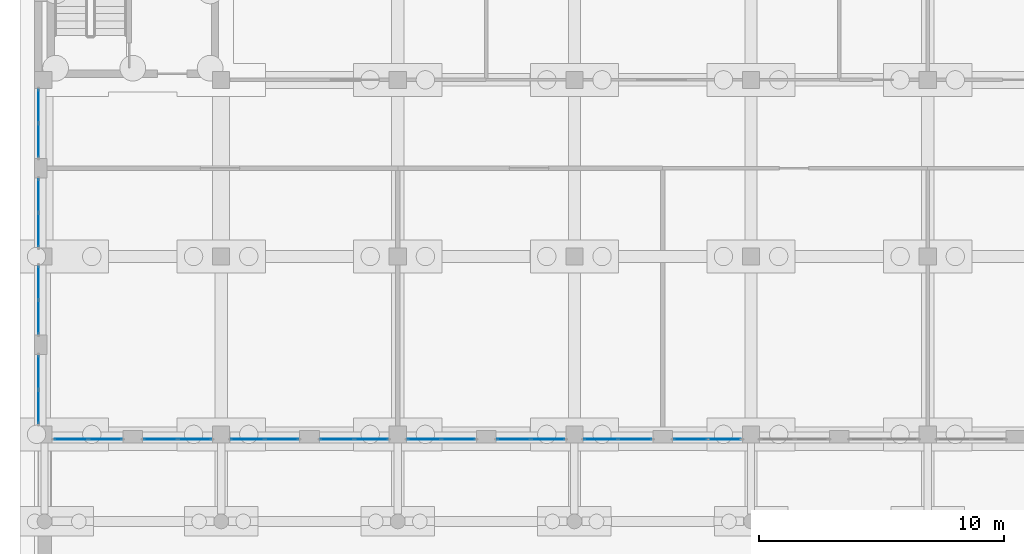
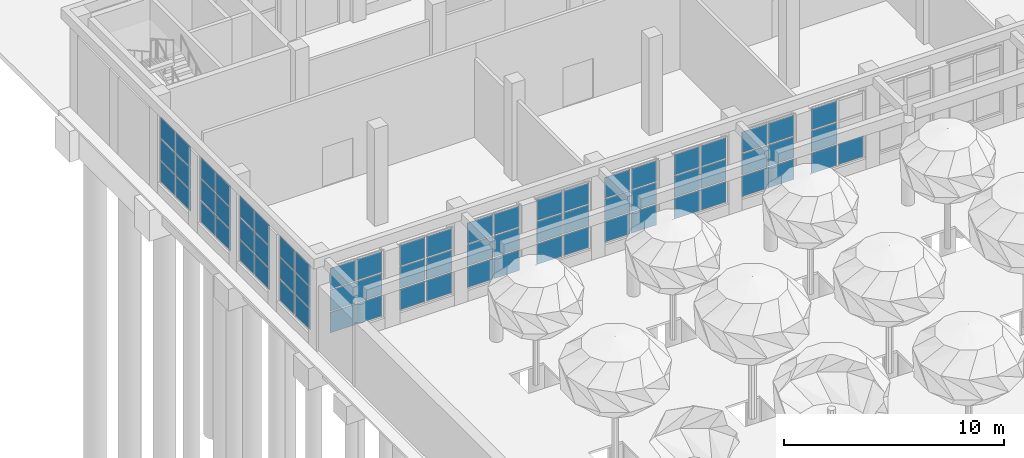
# One storey, part 36 of 80: 70 plates, 12 elements without a shape of their own.
"""IFC4 building model written with IfcOpenShell, lengths in metres."""

from ifc_helpers import new_model, si_unit, direction, frame, origin, origin_2d, place, context, subcontext, project, spatial, rectangle, extrude, material, layer, layer_set, type_object, element, aggregate, save


model = new_model("IFC4")

# Units and contexts
model_context = context("Model", 3, precision=1e-05, world=origin(), true_north=direction((0.0, 1.0)))
body_context = subcontext(model_context, "Body", "Model", "MODEL_VIEW")
ifc_project = project(units=[si_unit("LENGTHUNIT", "METRE"), si_unit("AREAUNIT", "SQUARE_METRE"), si_unit("VOLUMEUNIT", "CUBIC_METRE"), si_unit("PLANEANGLEUNIT", "RADIAN"), si_unit("MASSUNIT", "GRAM", prefix="KILO")], contexts=[model_context])

# Site, building, storey
site_placement = place(None, origin())
site = spatial("IfcSite", under=ifc_project, at=site_placement, CompositionType="ELEMENT")
building_placement = place(site_placement, origin())
building = spatial("IfcBuilding", under=site, at=building_placement, Name="Ussher Court Research Institute", CompositionType="ELEMENT")
storey_placement = place(building_placement, origin())
storey = spatial("IfcBuildingStorey", under=building, at=storey_placement, Name="L00", CompositionType="ELEMENT", Elevation=0.0)

# Curtain wall, plates
ifc_material_1 = material(Name="Bronze anodised aluminium with laminated safety glass", Category="aluminium")
ifc_layer_1 = layer(ifc_material_1, 0.1201171875)
ifc_layer_set_1 = layer_set([ifc_layer_1], Name="Bronze anodised aluminium with laminated safety glass")
curtain_wall_type = type_object("IfcCurtainWallType", Name="Curtain wall dry laboratory base storefront", PredefinedType="NOTDEFINED", material=ifc_layer_set_1)
curtain_wall_1_placement = place(storey_placement, origin())
curtain_wall_1 = element("IfcCurtainWall", 1, at=curtain_wall_1_placement, inside=storey, type_object=curtain_wall_type, Name="Curtain wall CW4 L00", PredefinedType="NOTDEFINED")
ifc_material_2 = material(Name="Laminated safety glass", Category="glass")
ifc_layer_2 = layer(ifc_material_2, 0.02099609375)
ifc_layer_set_2 = layer_set([ifc_layer_2], Name="Laminated safety glass")
plate_type = type_object("IfcPlateType", Name="Laminated safety glazing panel 21 mm", PredefinedType="CURTAIN_PANEL", material=ifc_layer_set_2)
plate_1_placement = place(storey_placement, frame((2.75, 69.87744140625, 0.66015625), z_axis=(0.0, 0.0, 1.0), x_axis=(0.0, 1.0, 0.0)))
plate_1 = element("IfcPlate", 2, at=plate_1_placement, type_object=plate_type, Name="CW4 panel 1.1", PredefinedType="CURTAIN_PANEL", context=body_context, shape_type="SweptSolid", body=[
    extrude(rectangle(XDim=1.3349609375, YDim=0.02099609375, at=origin_2d()), origin(), (0.0, 0.0, 1.0), 1.143310546875),
])
plate_2_placement = place(storey_placement, frame((2.75, 69.87744140625, 1.86328125), z_axis=(0.0, 0.0, 1.0), x_axis=(0.0, 1.0, 0.0)))
plate_2 = element("IfcPlate", 3, at=plate_2_placement, type_object=plate_type, Name="CW4 panel 1.2", PredefinedType="CURTAIN_PANEL", context=body_context, shape_type="SweptSolid", body=[
    extrude(rectangle(XDim=1.3349609375, YDim=0.02099609375, at=origin_2d()), origin(), (0.0, 0.0, 1.0), 1.17333984375),
])
plate_3_placement = place(storey_placement, frame((2.75, 69.87744140625, 3.0966796875), z_axis=(0.0, 0.0, 1.0), x_axis=(0.0, 1.0, 0.0)))
plate_3 = element("IfcPlate", 4, at=plate_3_placement, type_object=plate_type, Name="CW4 panel 1.3", PredefinedType="CURTAIN_PANEL", context=body_context, shape_type="SweptSolid", body=[
    extrude(rectangle(XDim=1.3349609375, YDim=0.02099609375, at=origin_2d()), origin(), (0.0, 0.0, 1.0), 1.143310546875),
])
plate_4_placement = place(storey_placement, frame((2.75, 71.2724609375, 0.66015625), z_axis=(0.0, 0.0, 1.0), x_axis=(0.0, 1.0, 0.0)))
plate_4 = element("IfcPlate", 5, at=plate_4_placement, type_object=plate_type, Name="CW4 panel 2.1", PredefinedType="CURTAIN_PANEL", context=body_context, shape_type="SweptSolid", body=[
    extrude(rectangle(XDim=1.3349609375, YDim=0.02099609375, at=origin_2d()), origin(), (0.0, 0.0, 1.0), 1.143310546875),
])
plate_5_placement = place(storey_placement, frame((2.75, 71.2724609375, 1.86328125), z_axis=(0.0, 0.0, 1.0), x_axis=(0.0, 1.0, 0.0)))
plate_5 = element("IfcPlate", 6, at=plate_5_placement, type_object=plate_type, Name="CW4 panel 2.2", PredefinedType="CURTAIN_PANEL", context=body_context, shape_type="SweptSolid", body=[
    extrude(rectangle(XDim=1.3349609375, YDim=0.02099609375, at=origin_2d()), origin(), (0.0, 0.0, 1.0), 1.17333984375),
])
plate_6_placement = place(storey_placement, frame((2.75, 71.2724609375, 3.0966796875), z_axis=(0.0, 0.0, 1.0), x_axis=(0.0, 1.0, 0.0)))
plate_6 = element("IfcPlate", 7, at=plate_6_placement, type_object=plate_type, Name="CW4 panel 2.3", PredefinedType="CURTAIN_PANEL", context=body_context, shape_type="SweptSolid", body=[
    extrude(rectangle(XDim=1.3349609375, YDim=0.02099609375, at=origin_2d()), origin(), (0.0, 0.0, 1.0), 1.143310546875),
])
aggregate(curtain_wall_1, [plate_1, plate_2, plate_3, plate_4, plate_5, plate_6])

curtain_wall_2_placement = place(storey_placement, origin())
curtain_wall_2 = element("IfcCurtainWall", 8, at=curtain_wall_2_placement, inside=storey, type_object=curtain_wall_type, Name="Curtain wall CW4 L00", PredefinedType="NOTDEFINED")
plate_7_placement = place(storey_placement, frame((2.75, 73.527587890625, 0.66015625), z_axis=(0.0, 0.0, 1.0), x_axis=(0.0, 1.0, 0.0)))
plate_7 = element("IfcPlate", 9, at=plate_7_placement, type_object=plate_type, Name="CW4 panel 1.1", PredefinedType="CURTAIN_PANEL", context=body_context, shape_type="SweptSolid", body=[
    extrude(rectangle(XDim=1.3349609375, YDim=0.02099609375, at=origin_2d()), origin(), (0.0, 0.0, 1.0), 1.143310546875),
])
plate_8_placement = place(storey_placement, frame((2.75, 73.527587890625, 1.86328125), z_axis=(0.0, 0.0, 1.0), x_axis=(0.0, 1.0, 0.0)))
plate_8 = element("IfcPlate", 10, at=plate_8_placement, type_object=plate_type, Name="CW4 panel 1.2", PredefinedType="CURTAIN_PANEL", context=body_context, shape_type="SweptSolid", body=[
    extrude(rectangle(XDim=1.3349609375, YDim=0.02099609375, at=origin_2d()), origin(), (0.0, 0.0, 1.0), 1.17333984375),
])
plate_9_placement = place(storey_placement, frame((2.75, 73.527587890625, 3.0966796875), z_axis=(0.0, 0.0, 1.0), x_axis=(0.0, 1.0, 0.0)))
plate_9 = element("IfcPlate", 11, at=plate_9_placement, type_object=plate_type, Name="CW4 panel 1.3", PredefinedType="CURTAIN_PANEL", context=body_context, shape_type="SweptSolid", body=[
    extrude(rectangle(XDim=1.3349609375, YDim=0.02099609375, at=origin_2d()), origin(), (0.0, 0.0, 1.0), 1.143310546875),
])
plate_10_placement = place(storey_placement, frame((2.75, 74.922607421875, 0.66015625), z_axis=(0.0, 0.0, 1.0), x_axis=(0.0, 1.0, 0.0)))
plate_10 = element("IfcPlate", 12, at=plate_10_placement, type_object=plate_type, Name="CW4 panel 2.1", PredefinedType="CURTAIN_PANEL", context=body_context, shape_type="SweptSolid", body=[
    extrude(rectangle(XDim=1.3349609375, YDim=0.02099609375, at=origin_2d()), origin(), (0.0, 0.0, 1.0), 1.143310546875),
])
plate_11_placement = place(storey_placement, frame((2.75, 74.922607421875, 1.86328125), z_axis=(0.0, 0.0, 1.0), x_axis=(0.0, 1.0, 0.0)))
plate_11 = element("IfcPlate", 13, at=plate_11_placement, type_object=plate_type, Name="CW4 panel 2.2", PredefinedType="CURTAIN_PANEL", context=body_context, shape_type="SweptSolid", body=[
    extrude(rectangle(XDim=1.3349609375, YDim=0.02099609375, at=origin_2d()), origin(), (0.0, 0.0, 1.0), 1.17333984375),
])
plate_12_placement = place(storey_placement, frame((2.75, 74.922607421875, 3.0966796875), z_axis=(0.0, 0.0, 1.0), x_axis=(0.0, 1.0, 0.0)))
plate_12 = element("IfcPlate", 14, at=plate_12_placement, type_object=plate_type, Name="CW4 panel 2.3", PredefinedType="CURTAIN_PANEL", context=body_context, shape_type="SweptSolid", body=[
    extrude(rectangle(XDim=1.3349609375, YDim=0.02099609375, at=origin_2d()), origin(), (0.0, 0.0, 1.0), 1.143310546875),
])
aggregate(curtain_wall_2, [plate_7, plate_8, plate_9, plate_10, plate_11, plate_12])

curtain_wall_3_placement = place(storey_placement, origin())
curtain_wall_3 = element("IfcCurtainWall", 15, at=curtain_wall_3_placement, inside=storey, type_object=curtain_wall_type, Name="Curtain wall CW4 L00", PredefinedType="NOTDEFINED")
plate_13_placement = place(storey_placement, frame((2.75, 77.077392578125, 0.66015625), z_axis=(0.0, 0.0, 1.0), x_axis=(0.0, 1.0, 0.0)))
plate_13 = element("IfcPlate", 16, at=plate_13_placement, type_object=plate_type, Name="CW4 panel 1.1", PredefinedType="CURTAIN_PANEL", context=body_context, shape_type="SweptSolid", body=[
    extrude(rectangle(XDim=1.3349609375, YDim=0.02099609375, at=origin_2d()), origin(), (0.0, 0.0, 1.0), 1.143310546875),
])
plate_14_placement = place(storey_placement, frame((2.75, 77.077392578125, 1.86328125), z_axis=(0.0, 0.0, 1.0), x_axis=(0.0, 1.0, 0.0)))
plate_14 = element("IfcPlate", 17, at=plate_14_placement, type_object=plate_type, Name="CW4 panel 1.2", PredefinedType="CURTAIN_PANEL", context=body_context, shape_type="SweptSolid", body=[
    extrude(rectangle(XDim=1.3349609375, YDim=0.02099609375, at=origin_2d()), origin(), (0.0, 0.0, 1.0), 1.17333984375),
])
plate_15_placement = place(storey_placement, frame((2.75, 77.077392578125, 3.0966796875), z_axis=(0.0, 0.0, 1.0), x_axis=(0.0, 1.0, 0.0)))
plate_15 = element("IfcPlate", 18, at=plate_15_placement, type_object=plate_type, Name="CW4 panel 1.3", PredefinedType="CURTAIN_PANEL", context=body_context, shape_type="SweptSolid", body=[
    extrude(rectangle(XDim=1.3349609375, YDim=0.02099609375, at=origin_2d()), origin(), (0.0, 0.0, 1.0), 1.143310546875),
])
plate_16_placement = place(storey_placement, frame((2.75, 78.472412109375, 0.66015625), z_axis=(0.0, 0.0, 1.0), x_axis=(0.0, 1.0, 0.0)))
plate_16 = element("IfcPlate", 19, at=plate_16_placement, type_object=plate_type, Name="CW4 panel 2.1", PredefinedType="CURTAIN_PANEL", context=body_context, shape_type="SweptSolid", body=[
    extrude(rectangle(XDim=1.3349609375, YDim=0.02099609375, at=origin_2d()), origin(), (0.0, 0.0, 1.0), 1.143310546875),
])
plate_17_placement = place(storey_placement, frame((2.75, 78.472412109375, 1.86328125), z_axis=(0.0, 0.0, 1.0), x_axis=(0.0, 1.0, 0.0)))
plate_17 = element("IfcPlate", 20, at=plate_17_placement, type_object=plate_type, Name="CW4 panel 2.2", PredefinedType="CURTAIN_PANEL", context=body_context, shape_type="SweptSolid", body=[
    extrude(rectangle(XDim=1.3349609375, YDim=0.02099609375, at=origin_2d()), origin(), (0.0, 0.0, 1.0), 1.17333984375),
])
plate_18_placement = place(storey_placement, frame((2.75, 78.472412109375, 3.0966796875), z_axis=(0.0, 0.0, 1.0), x_axis=(0.0, 1.0, 0.0)))
plate_18 = element("IfcPlate", 21, at=plate_18_placement, type_object=plate_type, Name="CW4 panel 2.3", PredefinedType="CURTAIN_PANEL", context=body_context, shape_type="SweptSolid", body=[
    extrude(rectangle(XDim=1.3349609375, YDim=0.02099609375, at=origin_2d()), origin(), (0.0, 0.0, 1.0), 1.143310546875),
])
aggregate(curtain_wall_3, [plate_13, plate_14, plate_15, plate_16, plate_17, plate_18])

curtain_wall_4_placement = place(storey_placement, origin())
curtain_wall_4 = element("IfcCurtainWall", 22, at=curtain_wall_4_placement, inside=storey, type_object=curtain_wall_type, Name="Curtain wall CW4 L00", PredefinedType="NOTDEFINED")
plate_19_placement = place(storey_placement, frame((2.75, 80.7275390625, 0.66015625), z_axis=(0.0, 0.0, 1.0), x_axis=(0.0, 1.0, 0.0)))
plate_19 = element("IfcPlate", 23, at=plate_19_placement, type_object=plate_type, Name="CW4 panel 1.1", PredefinedType="CURTAIN_PANEL", context=body_context, shape_type="SweptSolid", body=[
    extrude(rectangle(XDim=1.3349609375, YDim=0.02099609375, at=origin_2d()), origin(), (0.0, 0.0, 1.0), 1.143310546875),
])
plate_20_placement = place(storey_placement, frame((2.75, 80.7275390625, 1.86328125), z_axis=(0.0, 0.0, 1.0), x_axis=(0.0, 1.0, 0.0)))
plate_20 = element("IfcPlate", 24, at=plate_20_placement, type_object=plate_type, Name="CW4 panel 1.2", PredefinedType="CURTAIN_PANEL", context=body_context, shape_type="SweptSolid", body=[
    extrude(rectangle(XDim=1.3349609375, YDim=0.02099609375, at=origin_2d()), origin(), (0.0, 0.0, 1.0), 1.17333984375),
])
plate_21_placement = place(storey_placement, frame((2.75, 80.7275390625, 3.0966796875), z_axis=(0.0, 0.0, 1.0), x_axis=(0.0, 1.0, 0.0)))
plate_21 = element("IfcPlate", 25, at=plate_21_placement, type_object=plate_type, Name="CW4 panel 1.3", PredefinedType="CURTAIN_PANEL", context=body_context, shape_type="SweptSolid", body=[
    extrude(rectangle(XDim=1.3349609375, YDim=0.02099609375, at=origin_2d()), origin(), (0.0, 0.0, 1.0), 1.143310546875),
])
plate_22_placement = place(storey_placement, frame((2.75, 82.12255859375, 0.66015625), z_axis=(0.0, 0.0, 1.0), x_axis=(0.0, 1.0, 0.0)))
plate_22 = element("IfcPlate", 26, at=plate_22_placement, type_object=plate_type, Name="CW4 panel 2.1", PredefinedType="CURTAIN_PANEL", context=body_context, shape_type="SweptSolid", body=[
    extrude(rectangle(XDim=1.3349609375, YDim=0.02099609375, at=origin_2d()), origin(), (0.0, 0.0, 1.0), 1.143310546875),
])
plate_23_placement = place(storey_placement, frame((2.75, 82.12255859375, 1.86328125), z_axis=(0.0, 0.0, 1.0), x_axis=(0.0, 1.0, 0.0)))
plate_23 = element("IfcPlate", 27, at=plate_23_placement, type_object=plate_type, Name="CW4 panel 2.2", PredefinedType="CURTAIN_PANEL", context=body_context, shape_type="SweptSolid", body=[
    extrude(rectangle(XDim=1.3349609375, YDim=0.02099609375, at=origin_2d()), origin(), (0.0, 0.0, 1.0), 1.17333984375),
])
plate_24_placement = place(storey_placement, frame((2.75, 82.12255859375, 3.0966796875), z_axis=(0.0, 0.0, 1.0), x_axis=(0.0, 1.0, 0.0)))
plate_24 = element("IfcPlate", 28, at=plate_24_placement, type_object=plate_type, Name="CW4 panel 2.3", PredefinedType="CURTAIN_PANEL", context=body_context, shape_type="SweptSolid", body=[
    extrude(rectangle(XDim=1.3349609375, YDim=0.02099609375, at=origin_2d()), origin(), (0.0, 0.0, 1.0), 1.143310546875),
])
aggregate(curtain_wall_4, [plate_19, plate_20, plate_21, plate_22, plate_23, plate_24])

curtain_wall_5_placement = place(storey_placement, origin())
curtain_wall_5 = element("IfcCurtainWall", 29, at=curtain_wall_5_placement, inside=storey, type_object=curtain_wall_type, Name="Curtain wall CW4 L00", PredefinedType="NOTDEFINED")
plate_25_placement = place(storey_placement, frame((30.722412109375, 68.550048828125, 0.66015625), z_axis=(0.0, 0.0, 1.0), x_axis=(-1.0, 0.0, 0.0)))
plate_25 = element("IfcPlate", 30, at=plate_25_placement, type_object=plate_type, Name="CW4 panel 1.1", PredefinedType="CURTAIN_PANEL", context=body_context, shape_type="SweptSolid", body=[
    extrude(rectangle(XDim=1.3349609375, YDim=0.02099609375, at=origin_2d()), origin(), (0.0, 0.0, 1.0), 1.143310546875),
])
plate_26_placement = place(storey_placement, frame((29.327392578125, 68.550048828125, 0.66015625), z_axis=(0.0, 0.0, 1.0), x_axis=(-1.0, 0.0, 0.0)))
plate_26 = element("IfcPlate", 31, at=plate_26_placement, type_object=plate_type, Name="CW4 panel 2.1", PredefinedType="CURTAIN_PANEL", context=body_context, shape_type="SweptSolid", body=[
    extrude(rectangle(XDim=1.3349609375, YDim=0.02099609375, at=origin_2d()), origin(), (0.0, 0.0, 1.0), 1.143310546875),
])
plate_27_placement = place(storey_placement, frame((29.327392578125, 68.550048828125, 1.86328125), z_axis=(0.0, 0.0, 1.0), x_axis=(-1.0, 0.0, 0.0)))
plate_27 = element("IfcPlate", 32, at=plate_27_placement, type_object=plate_type, Name="CW4 panel 2.2", PredefinedType="CURTAIN_PANEL", context=body_context, shape_type="SweptSolid", body=[
    extrude(rectangle(XDim=1.3349609375, YDim=0.02099609375, at=origin_2d()), origin(), (0.0, 0.0, 1.0), 1.17333984375),
])
plate_28_placement = place(storey_placement, frame((29.327392578125, 68.550048828125, 3.0966796875), z_axis=(0.0, 0.0, 1.0), x_axis=(-1.0, 0.0, 0.0)))
plate_28 = element("IfcPlate", 33, at=plate_28_placement, type_object=plate_type, Name="CW4 panel 2.3", PredefinedType="CURTAIN_PANEL", context=body_context, shape_type="SweptSolid", body=[
    extrude(rectangle(XDim=1.3349609375, YDim=0.02099609375, at=origin_2d()), origin(), (0.0, 0.0, 1.0), 1.143310546875),
])
aggregate(curtain_wall_5, [plate_25, plate_26, plate_27, plate_28])

curtain_wall_6_placement = place(storey_placement, origin())
curtain_wall_6 = element("IfcCurtainWall", 34, at=curtain_wall_6_placement, inside=storey, type_object=curtain_wall_type, Name="Curtain wall CW4 L00", PredefinedType="NOTDEFINED")
plate_29_placement = place(storey_placement, frame((27.072509765625, 68.550048828125, 0.66015625), z_axis=(0.0, 0.0, 1.0), x_axis=(-1.0, 0.0, 0.0)))
plate_29 = element("IfcPlate", 35, at=plate_29_placement, type_object=plate_type, Name="CW4 panel 1.1", PredefinedType="CURTAIN_PANEL", context=body_context, shape_type="SweptSolid", body=[
    extrude(rectangle(XDim=1.3349609375, YDim=0.02099609375, at=origin_2d()), origin(), (0.0, 0.0, 1.0), 1.143310546875),
])
plate_30_placement = place(storey_placement, frame((27.072509765625, 68.550048828125, 1.86328125), z_axis=(0.0, 0.0, 1.0), x_axis=(-1.0, 0.0, 0.0)))
plate_30 = element("IfcPlate", 36, at=plate_30_placement, type_object=plate_type, Name="CW4 panel 1.2", PredefinedType="CURTAIN_PANEL", context=body_context, shape_type="SweptSolid", body=[
    extrude(rectangle(XDim=1.3349609375, YDim=0.02099609375, at=origin_2d()), origin(), (0.0, 0.0, 1.0), 1.17333984375),
])
plate_31_placement = place(storey_placement, frame((27.072509765625, 68.550048828125, 3.0966796875), z_axis=(0.0, 0.0, 1.0), x_axis=(-1.0, 0.0, 0.0)))
plate_31 = element("IfcPlate", 37, at=plate_31_placement, type_object=plate_type, Name="CW4 panel 1.3", PredefinedType="CURTAIN_PANEL", context=body_context, shape_type="SweptSolid", body=[
    extrude(rectangle(XDim=1.3349609375, YDim=0.02099609375, at=origin_2d()), origin(), (0.0, 0.0, 1.0), 1.143310546875),
])
plate_32_placement = place(storey_placement, frame((25.677490234375, 68.550048828125, 0.66015625), z_axis=(0.0, 0.0, 1.0), x_axis=(-1.0, 0.0, 0.0)))
plate_32 = element("IfcPlate", 38, at=plate_32_placement, type_object=plate_type, Name="CW4 panel 2.1", PredefinedType="CURTAIN_PANEL", context=body_context, shape_type="SweptSolid", body=[
    extrude(rectangle(XDim=1.3349609375, YDim=0.02099609375, at=origin_2d()), origin(), (0.0, 0.0, 1.0), 1.143310546875),
])
plate_33_placement = place(storey_placement, frame((25.677490234375, 68.550048828125, 1.86328125), z_axis=(0.0, 0.0, 1.0), x_axis=(-1.0, 0.0, 0.0)))
plate_33 = element("IfcPlate", 39, at=plate_33_placement, type_object=plate_type, Name="CW4 panel 2.2", PredefinedType="CURTAIN_PANEL", context=body_context, shape_type="SweptSolid", body=[
    extrude(rectangle(XDim=1.3349609375, YDim=0.02099609375, at=origin_2d()), origin(), (0.0, 0.0, 1.0), 1.17333984375),
])
plate_34_placement = place(storey_placement, frame((25.677490234375, 68.550048828125, 3.0966796875), z_axis=(0.0, 0.0, 1.0), x_axis=(-1.0, 0.0, 0.0)))
plate_34 = element("IfcPlate", 40, at=plate_34_placement, type_object=plate_type, Name="CW4 panel 2.3", PredefinedType="CURTAIN_PANEL", context=body_context, shape_type="SweptSolid", body=[
    extrude(rectangle(XDim=1.3349609375, YDim=0.02099609375, at=origin_2d()), origin(), (0.0, 0.0, 1.0), 1.143310546875),
])
aggregate(curtain_wall_6, [plate_29, plate_30, plate_31, plate_32, plate_33, plate_34])

curtain_wall_7_placement = place(storey_placement, origin())
curtain_wall_7 = element("IfcCurtainWall", 41, at=curtain_wall_7_placement, inside=storey, type_object=curtain_wall_type, Name="Curtain wall CW4 L00", PredefinedType="NOTDEFINED")
plate_35_placement = place(storey_placement, frame((23.5224609375, 68.550048828125, 0.66015625), z_axis=(0.0, 0.0, 1.0), x_axis=(-1.0, 0.0, 0.0)))
plate_35 = element("IfcPlate", 42, at=plate_35_placement, type_object=plate_type, Name="CW4 panel 1.1", PredefinedType="CURTAIN_PANEL", context=body_context, shape_type="SweptSolid", body=[
    extrude(rectangle(XDim=1.3349609375, YDim=0.02099609375, at=origin_2d()), origin(), (0.0, 0.0, 1.0), 1.143310546875),
])
plate_36_placement = place(storey_placement, frame((23.5224609375, 68.550048828125, 1.86328125), z_axis=(0.0, 0.0, 1.0), x_axis=(-1.0, 0.0, 0.0)))
plate_36 = element("IfcPlate", 43, at=plate_36_placement, type_object=plate_type, Name="CW4 panel 1.2", PredefinedType="CURTAIN_PANEL", context=body_context, shape_type="SweptSolid", body=[
    extrude(rectangle(XDim=1.3349609375, YDim=0.02099609375, at=origin_2d()), origin(), (0.0, 0.0, 1.0), 1.17333984375),
])
plate_37_placement = place(storey_placement, frame((23.5224609375, 68.550048828125, 3.0966796875), z_axis=(0.0, 0.0, 1.0), x_axis=(-1.0, 0.0, 0.0)))
plate_37 = element("IfcPlate", 44, at=plate_37_placement, type_object=plate_type, Name="CW4 panel 1.3", PredefinedType="CURTAIN_PANEL", context=body_context, shape_type="SweptSolid", body=[
    extrude(rectangle(XDim=1.3349609375, YDim=0.02099609375, at=origin_2d()), origin(), (0.0, 0.0, 1.0), 1.143310546875),
])
plate_38_placement = place(storey_placement, frame((22.12744140625, 68.550048828125, 0.66015625), z_axis=(0.0, 0.0, 1.0), x_axis=(-1.0, 0.0, 0.0)))
plate_38 = element("IfcPlate", 45, at=plate_38_placement, type_object=plate_type, Name="CW4 panel 2.1", PredefinedType="CURTAIN_PANEL", context=body_context, shape_type="SweptSolid", body=[
    extrude(rectangle(XDim=1.3349609375, YDim=0.02099609375, at=origin_2d()), origin(), (0.0, 0.0, 1.0), 1.143310546875),
])
plate_39_placement = place(storey_placement, frame((22.12744140625, 68.550048828125, 1.86328125), z_axis=(0.0, 0.0, 1.0), x_axis=(-1.0, 0.0, 0.0)))
plate_39 = element("IfcPlate", 46, at=plate_39_placement, type_object=plate_type, Name="CW4 panel 2.2", PredefinedType="CURTAIN_PANEL", context=body_context, shape_type="SweptSolid", body=[
    extrude(rectangle(XDim=1.3349609375, YDim=0.02099609375, at=origin_2d()), origin(), (0.0, 0.0, 1.0), 1.17333984375),
])
plate_40_placement = place(storey_placement, frame((22.12744140625, 68.550048828125, 3.0966796875), z_axis=(0.0, 0.0, 1.0), x_axis=(-1.0, 0.0, 0.0)))
plate_40 = element("IfcPlate", 47, at=plate_40_placement, type_object=plate_type, Name="CW4 panel 2.3", PredefinedType="CURTAIN_PANEL", context=body_context, shape_type="SweptSolid", body=[
    extrude(rectangle(XDim=1.3349609375, YDim=0.02099609375, at=origin_2d()), origin(), (0.0, 0.0, 1.0), 1.143310546875),
])
aggregate(curtain_wall_7, [plate_35, plate_36, plate_37, plate_38, plate_39, plate_40])

curtain_wall_8_placement = place(storey_placement, origin())
curtain_wall_8 = element("IfcCurtainWall", 48, at=curtain_wall_8_placement, inside=storey, type_object=curtain_wall_type, Name="Curtain wall CW4 L00", PredefinedType="NOTDEFINED")
plate_41_placement = place(storey_placement, frame((19.87255859375, 68.550048828125, 0.66015625), z_axis=(0.0, 0.0, 1.0), x_axis=(-1.0, 0.0, 0.0)))
plate_41 = element("IfcPlate", 49, at=plate_41_placement, type_object=plate_type, Name="CW4 panel 1.1", PredefinedType="CURTAIN_PANEL", context=body_context, shape_type="SweptSolid", body=[
    extrude(rectangle(XDim=1.3349609375, YDim=0.02099609375, at=origin_2d()), origin(), (0.0, 0.0, 1.0), 1.143310546875),
])
plate_42_placement = place(storey_placement, frame((19.87255859375, 68.550048828125, 1.86328125), z_axis=(0.0, 0.0, 1.0), x_axis=(-1.0, 0.0, 0.0)))
plate_42 = element("IfcPlate", 50, at=plate_42_placement, type_object=plate_type, Name="CW4 panel 1.2", PredefinedType="CURTAIN_PANEL", context=body_context, shape_type="SweptSolid", body=[
    extrude(rectangle(XDim=1.3349609375, YDim=0.02099609375, at=origin_2d()), origin(), (0.0, 0.0, 1.0), 1.17333984375),
])
plate_43_placement = place(storey_placement, frame((19.87255859375, 68.550048828125, 3.0966796875), z_axis=(0.0, 0.0, 1.0), x_axis=(-1.0, 0.0, 0.0)))
plate_43 = element("IfcPlate", 51, at=plate_43_placement, type_object=plate_type, Name="CW4 panel 1.3", PredefinedType="CURTAIN_PANEL", context=body_context, shape_type="SweptSolid", body=[
    extrude(rectangle(XDim=1.3349609375, YDim=0.02099609375, at=origin_2d()), origin(), (0.0, 0.0, 1.0), 1.143310546875),
])
plate_44_placement = place(storey_placement, frame((18.4775390625, 68.550048828125, 0.66015625), z_axis=(0.0, 0.0, 1.0), x_axis=(-1.0, 0.0, 0.0)))
plate_44 = element("IfcPlate", 52, at=plate_44_placement, type_object=plate_type, Name="CW4 panel 2.1", PredefinedType="CURTAIN_PANEL", context=body_context, shape_type="SweptSolid", body=[
    extrude(rectangle(XDim=1.3349609375, YDim=0.02099609375, at=origin_2d()), origin(), (0.0, 0.0, 1.0), 1.143310546875),
])
plate_45_placement = place(storey_placement, frame((18.4775390625, 68.550048828125, 1.86328125), z_axis=(0.0, 0.0, 1.0), x_axis=(-1.0, 0.0, 0.0)))
plate_45 = element("IfcPlate", 53, at=plate_45_placement, type_object=plate_type, Name="CW4 panel 2.2", PredefinedType="CURTAIN_PANEL", context=body_context, shape_type="SweptSolid", body=[
    extrude(rectangle(XDim=1.3349609375, YDim=0.02099609375, at=origin_2d()), origin(), (0.0, 0.0, 1.0), 1.17333984375),
])
plate_46_placement = place(storey_placement, frame((18.4775390625, 68.550048828125, 3.0966796875), z_axis=(0.0, 0.0, 1.0), x_axis=(-1.0, 0.0, 0.0)))
plate_46 = element("IfcPlate", 54, at=plate_46_placement, type_object=plate_type, Name="CW4 panel 2.3", PredefinedType="CURTAIN_PANEL", context=body_context, shape_type="SweptSolid", body=[
    extrude(rectangle(XDim=1.3349609375, YDim=0.02099609375, at=origin_2d()), origin(), (0.0, 0.0, 1.0), 1.143310546875),
])
aggregate(curtain_wall_8, [plate_41, plate_42, plate_43, plate_44, plate_45, plate_46])

curtain_wall_9_placement = place(storey_placement, origin())
curtain_wall_9 = element("IfcCurtainWall", 55, at=curtain_wall_9_placement, inside=storey, type_object=curtain_wall_type, Name="Curtain wall CW4 L00", PredefinedType="NOTDEFINED")
plate_47_placement = place(storey_placement, frame((16.322509765625, 68.550048828125, 0.66015625), z_axis=(0.0, 0.0, 1.0), x_axis=(-1.0, 0.0, 0.0)))
plate_47 = element("IfcPlate", 56, at=plate_47_placement, type_object=plate_type, Name="CW4 panel 1.1", PredefinedType="CURTAIN_PANEL", context=body_context, shape_type="SweptSolid", body=[
    extrude(rectangle(XDim=1.3349609375, YDim=0.02099609375, at=origin_2d()), origin(), (0.0, 0.0, 1.0), 1.143310546875),
])
plate_48_placement = place(storey_placement, frame((16.322509765625, 68.550048828125, 1.86328125), z_axis=(0.0, 0.0, 1.0), x_axis=(-1.0, 0.0, 0.0)))
plate_48 = element("IfcPlate", 57, at=plate_48_placement, type_object=plate_type, Name="CW4 panel 1.2", PredefinedType="CURTAIN_PANEL", context=body_context, shape_type="SweptSolid", body=[
    extrude(rectangle(XDim=1.3349609375, YDim=0.02099609375, at=origin_2d()), origin(), (0.0, 0.0, 1.0), 1.17333984375),
])
plate_49_placement = place(storey_placement, frame((16.322509765625, 68.550048828125, 3.0966796875), z_axis=(0.0, 0.0, 1.0), x_axis=(-1.0, 0.0, 0.0)))
plate_49 = element("IfcPlate", 58, at=plate_49_placement, type_object=plate_type, Name="CW4 panel 1.3", PredefinedType="CURTAIN_PANEL", context=body_context, shape_type="SweptSolid", body=[
    extrude(rectangle(XDim=1.3349609375, YDim=0.02099609375, at=origin_2d()), origin(), (0.0, 0.0, 1.0), 1.143310546875),
])
plate_50_placement = place(storey_placement, frame((14.927490234375, 68.550048828125, 0.66015625), z_axis=(0.0, 0.0, 1.0), x_axis=(-1.0, 0.0, 0.0)))
plate_50 = element("IfcPlate", 59, at=plate_50_placement, type_object=plate_type, Name="CW4 panel 2.1", PredefinedType="CURTAIN_PANEL", context=body_context, shape_type="SweptSolid", body=[
    extrude(rectangle(XDim=1.3349609375, YDim=0.02099609375, at=origin_2d()), origin(), (0.0, 0.0, 1.0), 1.143310546875),
])
plate_51_placement = place(storey_placement, frame((14.927490234375, 68.550048828125, 1.86328125), z_axis=(0.0, 0.0, 1.0), x_axis=(-1.0, 0.0, 0.0)))
plate_51 = element("IfcPlate", 60, at=plate_51_placement, type_object=plate_type, Name="CW4 panel 2.2", PredefinedType="CURTAIN_PANEL", context=body_context, shape_type="SweptSolid", body=[
    extrude(rectangle(XDim=1.3349609375, YDim=0.02099609375, at=origin_2d()), origin(), (0.0, 0.0, 1.0), 1.17333984375),
])
plate_52_placement = place(storey_placement, frame((14.927490234375, 68.550048828125, 3.0966796875), z_axis=(0.0, 0.0, 1.0), x_axis=(-1.0, 0.0, 0.0)))
plate_52 = element("IfcPlate", 61, at=plate_52_placement, type_object=plate_type, Name="CW4 panel 2.3", PredefinedType="CURTAIN_PANEL", context=body_context, shape_type="SweptSolid", body=[
    extrude(rectangle(XDim=1.3349609375, YDim=0.02099609375, at=origin_2d()), origin(), (0.0, 0.0, 1.0), 1.143310546875),
])
aggregate(curtain_wall_9, [plate_47, plate_48, plate_49, plate_50, plate_51, plate_52])

curtain_wall_10_placement = place(storey_placement, origin())
curtain_wall_10 = element("IfcCurtainWall", 62, at=curtain_wall_10_placement, inside=storey, type_object=curtain_wall_type, Name="Curtain wall CW4 L00", PredefinedType="NOTDEFINED")
plate_53_placement = place(storey_placement, frame((12.672607421875, 68.550048828125, 0.66015625), z_axis=(0.0, 0.0, 1.0), x_axis=(-1.0, 0.0, 0.0)))
plate_53 = element("IfcPlate", 63, at=plate_53_placement, type_object=plate_type, Name="CW4 panel 1.1", PredefinedType="CURTAIN_PANEL", context=body_context, shape_type="SweptSolid", body=[
    extrude(rectangle(XDim=1.3349609375, YDim=0.02099609375, at=origin_2d()), origin(), (0.0, 0.0, 1.0), 1.143310546875),
])
plate_54_placement = place(storey_placement, frame((12.672607421875, 68.550048828125, 1.86328125), z_axis=(0.0, 0.0, 1.0), x_axis=(-1.0, 0.0, 0.0)))
plate_54 = element("IfcPlate", 64, at=plate_54_placement, type_object=plate_type, Name="CW4 panel 1.2", PredefinedType="CURTAIN_PANEL", context=body_context, shape_type="SweptSolid", body=[
    extrude(rectangle(XDim=1.3349609375, YDim=0.02099609375, at=origin_2d()), origin(), (0.0, 0.0, 1.0), 1.17333984375),
])
plate_55_placement = place(storey_placement, frame((12.672607421875, 68.550048828125, 3.0966796875), z_axis=(0.0, 0.0, 1.0), x_axis=(-1.0, 0.0, 0.0)))
plate_55 = element("IfcPlate", 65, at=plate_55_placement, type_object=plate_type, Name="CW4 panel 1.3", PredefinedType="CURTAIN_PANEL", context=body_context, shape_type="SweptSolid", body=[
    extrude(rectangle(XDim=1.3349609375, YDim=0.02099609375, at=origin_2d()), origin(), (0.0, 0.0, 1.0), 1.143310546875),
])
plate_56_placement = place(storey_placement, frame((11.277587890625, 68.550048828125, 0.66015625), z_axis=(0.0, 0.0, 1.0), x_axis=(-1.0, 0.0, 0.0)))
plate_56 = element("IfcPlate", 66, at=plate_56_placement, type_object=plate_type, Name="CW4 panel 2.1", PredefinedType="CURTAIN_PANEL", context=body_context, shape_type="SweptSolid", body=[
    extrude(rectangle(XDim=1.3349609375, YDim=0.02099609375, at=origin_2d()), origin(), (0.0, 0.0, 1.0), 1.143310546875),
])
plate_57_placement = place(storey_placement, frame((11.277587890625, 68.550048828125, 1.86328125), z_axis=(0.0, 0.0, 1.0), x_axis=(-1.0, 0.0, 0.0)))
plate_57 = element("IfcPlate", 67, at=plate_57_placement, type_object=plate_type, Name="CW4 panel 2.2", PredefinedType="CURTAIN_PANEL", context=body_context, shape_type="SweptSolid", body=[
    extrude(rectangle(XDim=1.3349609375, YDim=0.02099609375, at=origin_2d()), origin(), (0.0, 0.0, 1.0), 1.17333984375),
])
plate_58_placement = place(storey_placement, frame((11.277587890625, 68.550048828125, 3.0966796875), z_axis=(0.0, 0.0, 1.0), x_axis=(-1.0, 0.0, 0.0)))
plate_58 = element("IfcPlate", 68, at=plate_58_placement, type_object=plate_type, Name="CW4 panel 2.3", PredefinedType="CURTAIN_PANEL", context=body_context, shape_type="SweptSolid", body=[
    extrude(rectangle(XDim=1.3349609375, YDim=0.02099609375, at=origin_2d()), origin(), (0.0, 0.0, 1.0), 1.143310546875),
])
aggregate(curtain_wall_10, [plate_53, plate_54, plate_55, plate_56, plate_57, plate_58])

curtain_wall_11_placement = place(storey_placement, origin())
curtain_wall_11 = element("IfcCurtainWall", 69, at=curtain_wall_11_placement, inside=storey, type_object=curtain_wall_type, Name="Curtain wall CW4 L00", PredefinedType="NOTDEFINED")
plate_59_placement = place(storey_placement, frame((9.12255859375, 68.550048828125, 0.66015625), z_axis=(0.0, 0.0, 1.0), x_axis=(-1.0, 0.0, 0.0)))
plate_59 = element("IfcPlate", 70, at=plate_59_placement, type_object=plate_type, Name="CW4 panel 1.1", PredefinedType="CURTAIN_PANEL", context=body_context, shape_type="SweptSolid", body=[
    extrude(rectangle(XDim=1.3349609375, YDim=0.02099609375, at=origin_2d()), origin(), (0.0, 0.0, 1.0), 1.143310546875),
])
plate_60_placement = place(storey_placement, frame((9.12255859375, 68.550048828125, 1.86328125), z_axis=(0.0, 0.0, 1.0), x_axis=(-1.0, 0.0, 0.0)))
plate_60 = element("IfcPlate", 71, at=plate_60_placement, type_object=plate_type, Name="CW4 panel 1.2", PredefinedType="CURTAIN_PANEL", context=body_context, shape_type="SweptSolid", body=[
    extrude(rectangle(XDim=1.3349609375, YDim=0.02099609375, at=origin_2d()), origin(), (0.0, 0.0, 1.0), 1.17333984375),
])
plate_61_placement = place(storey_placement, frame((9.12255859375, 68.550048828125, 3.0966796875), z_axis=(0.0, 0.0, 1.0), x_axis=(-1.0, 0.0, 0.0)))
plate_61 = element("IfcPlate", 72, at=plate_61_placement, type_object=plate_type, Name="CW4 panel 1.3", PredefinedType="CURTAIN_PANEL", context=body_context, shape_type="SweptSolid", body=[
    extrude(rectangle(XDim=1.3349609375, YDim=0.02099609375, at=origin_2d()), origin(), (0.0, 0.0, 1.0), 1.143310546875),
])
plate_62_placement = place(storey_placement, frame((7.7275390625, 68.550048828125, 0.66015625), z_axis=(0.0, 0.0, 1.0), x_axis=(-1.0, 0.0, 0.0)))
plate_62 = element("IfcPlate", 73, at=plate_62_placement, type_object=plate_type, Name="CW4 panel 2.1", PredefinedType="CURTAIN_PANEL", context=body_context, shape_type="SweptSolid", body=[
    extrude(rectangle(XDim=1.3349609375, YDim=0.02099609375, at=origin_2d()), origin(), (0.0, 0.0, 1.0), 1.143310546875),
])
plate_63_placement = place(storey_placement, frame((7.7275390625, 68.550048828125, 1.86328125), z_axis=(0.0, 0.0, 1.0), x_axis=(-1.0, 0.0, 0.0)))
plate_63 = element("IfcPlate", 74, at=plate_63_placement, type_object=plate_type, Name="CW4 panel 2.2", PredefinedType="CURTAIN_PANEL", context=body_context, shape_type="SweptSolid", body=[
    extrude(rectangle(XDim=1.3349609375, YDim=0.02099609375, at=origin_2d()), origin(), (0.0, 0.0, 1.0), 1.17333984375),
])
plate_64_placement = place(storey_placement, frame((7.7275390625, 68.550048828125, 3.0966796875), z_axis=(0.0, 0.0, 1.0), x_axis=(-1.0, 0.0, 0.0)))
plate_64 = element("IfcPlate", 75, at=plate_64_placement, type_object=plate_type, Name="CW4 panel 2.3", PredefinedType="CURTAIN_PANEL", context=body_context, shape_type="SweptSolid", body=[
    extrude(rectangle(XDim=1.3349609375, YDim=0.02099609375, at=origin_2d()), origin(), (0.0, 0.0, 1.0), 1.143310546875),
])
aggregate(curtain_wall_11, [plate_59, plate_60, plate_61, plate_62, plate_63, plate_64])

curtain_wall_12_placement = place(storey_placement, origin())
curtain_wall_12 = element("IfcCurtainWall", 76, at=curtain_wall_12_placement, inside=storey, type_object=curtain_wall_type, Name="Curtain wall CW4 L00", PredefinedType="NOTDEFINED")
plate_65_placement = place(storey_placement, frame((5.472412109375, 68.550048828125, 0.66015625), z_axis=(0.0, 0.0, 1.0), x_axis=(-1.0, 0.0, 0.0)))
plate_65 = element("IfcPlate", 77, at=plate_65_placement, type_object=plate_type, Name="CW4 panel 1.1", PredefinedType="CURTAIN_PANEL", context=body_context, shape_type="SweptSolid", body=[
    extrude(rectangle(XDim=1.3349609375, YDim=0.02099609375, at=origin_2d()), origin(), (0.0, 0.0, 1.0), 1.143310546875),
])
plate_66_placement = place(storey_placement, frame((5.472412109375, 68.550048828125, 1.86328125), z_axis=(0.0, 0.0, 1.0), x_axis=(-1.0, 0.0, 0.0)))
plate_66 = element("IfcPlate", 78, at=plate_66_placement, type_object=plate_type, Name="CW4 panel 1.2", PredefinedType="CURTAIN_PANEL", context=body_context, shape_type="SweptSolid", body=[
    extrude(rectangle(XDim=1.3349609375, YDim=0.02099609375, at=origin_2d()), origin(), (0.0, 0.0, 1.0), 1.17333984375),
])
plate_67_placement = place(storey_placement, frame((5.472412109375, 68.550048828125, 3.0966796875), z_axis=(0.0, 0.0, 1.0), x_axis=(-1.0, 0.0, 0.0)))
plate_67 = element("IfcPlate", 79, at=plate_67_placement, type_object=plate_type, Name="CW4 panel 1.3", PredefinedType="CURTAIN_PANEL", context=body_context, shape_type="SweptSolid", body=[
    extrude(rectangle(XDim=1.3349609375, YDim=0.02099609375, at=origin_2d()), origin(), (0.0, 0.0, 1.0), 1.143310546875),
])
plate_68_placement = place(storey_placement, frame((4.077392578125, 68.550048828125, 0.66015625), z_axis=(0.0, 0.0, 1.0), x_axis=(-1.0, 0.0, 0.0)))
plate_68 = element("IfcPlate", 80, at=plate_68_placement, type_object=plate_type, Name="CW4 panel 2.1", PredefinedType="CURTAIN_PANEL", context=body_context, shape_type="SweptSolid", body=[
    extrude(rectangle(XDim=1.3349609375, YDim=0.02099609375, at=origin_2d()), origin(), (0.0, 0.0, 1.0), 1.143310546875),
])
plate_69_placement = place(storey_placement, frame((4.077392578125, 68.550048828125, 1.86328125), z_axis=(0.0, 0.0, 1.0), x_axis=(-1.0, 0.0, 0.0)))
plate_69 = element("IfcPlate", 81, at=plate_69_placement, type_object=plate_type, Name="CW4 panel 2.2", PredefinedType="CURTAIN_PANEL", context=body_context, shape_type="SweptSolid", body=[
    extrude(rectangle(XDim=1.3349609375, YDim=0.02099609375, at=origin_2d()), origin(), (0.0, 0.0, 1.0), 1.17333984375),
])
plate_70_placement = place(storey_placement, frame((4.077392578125, 68.550048828125, 3.0966796875), z_axis=(0.0, 0.0, 1.0), x_axis=(-1.0, 0.0, 0.0)))
plate_70 = element("IfcPlate", 82, at=plate_70_placement, type_object=plate_type, Name="CW4 panel 2.3", PredefinedType="CURTAIN_PANEL", context=body_context, shape_type="SweptSolid", body=[
    extrude(rectangle(XDim=1.3349609375, YDim=0.02099609375, at=origin_2d()), origin(), (0.0, 0.0, 1.0), 1.143310546875),
])
aggregate(curtain_wall_12, [plate_65, plate_66, plate_67, plate_68, plate_69, plate_70])

save(model, "model.ifc")
